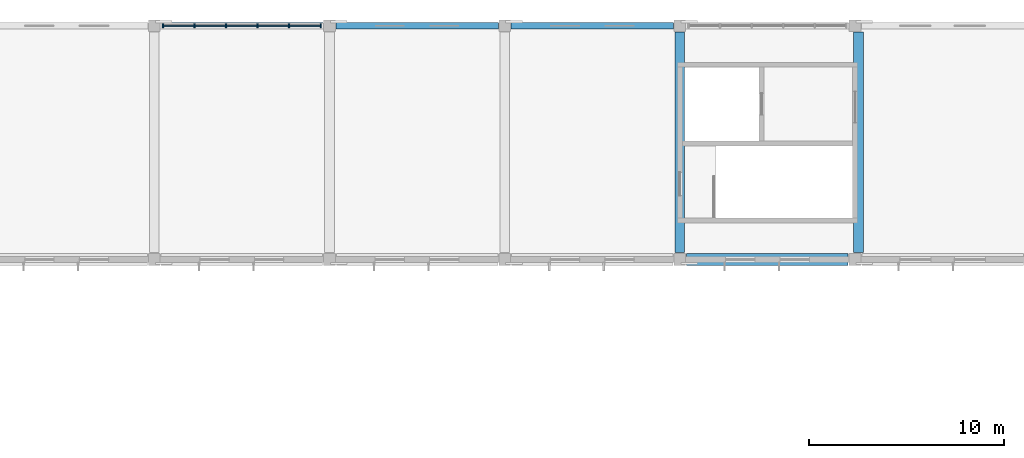
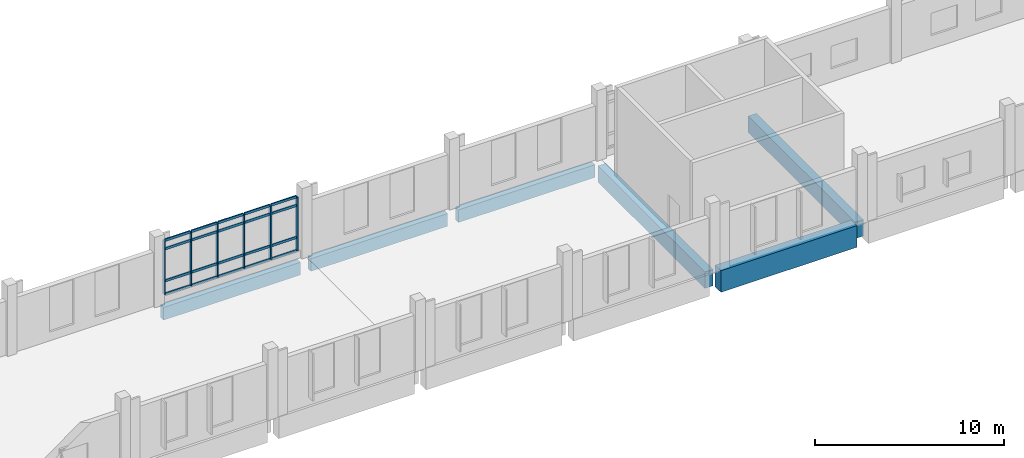
# One storey, part 24 of 63: 26 members, 6 beams, 1 element without a shape of its own.
"""IFC4 building model written with IfcOpenShell, lengths in metres."""

from ifc_helpers import new_model, si_unit, direction, frame, origin, origin_2d, place, context, subcontext, project, spatial, rectangle, extrude, material, layer, layer_set, material_profile, profile_set, type_object, element, aggregate, save


model = new_model("IFC4")

# Units and contexts
model_context = context("Model", 3, precision=1e-05, world=origin(), true_north=direction((0.0, 1.0)))
body_context = subcontext(model_context, "Body", "Model", "MODEL_VIEW")
ifc_project = project(units=[si_unit("LENGTHUNIT", "METRE"), si_unit("AREAUNIT", "SQUARE_METRE"), si_unit("VOLUMEUNIT", "CUBIC_METRE"), si_unit("PLANEANGLEUNIT", "RADIAN"), si_unit("MASSUNIT", "GRAM", prefix="KILO")], contexts=[model_context])

# Site, building, storey
site_placement = place(None, origin())
site = spatial("IfcSite", under=ifc_project, at=site_placement, CompositionType="ELEMENT")
building_placement = place(site_placement, origin())
building = spatial("IfcBuilding", under=site, at=building_placement, Name="Zacnel Wholesale Market", CompositionType="ELEMENT")
storey_placement = place(building_placement, frame((0.0, 0.0, 11.199951171875)))
storey = spatial("IfcBuildingStorey", under=building, at=storey_placement, Name="L03", CompositionType="ELEMENT", Elevation=11.199951171875)

# Beams
ifc_material_1 = material(Name="Precast concrete C45/55", Category="concrete")
ifc_material_profile_1 = material_profile(ifc_material_1, rectangle(XDim=0.5, YDim=1.050048828125, at=origin_2d()), Name="PG 500x1050")
ifc_profile_set_1 = profile_set([ifc_material_profile_1], Name="Precast concrete C45/55")
beam_type_1 = type_object("IfcBeamType", Name="BM-PG1050", PredefinedType="T_BEAM", material=ifc_profile_set_1)
for number, where, z_axis, x_axis, name in (
    (1, (117.0, 132.35009765625, -0.804931640625), (0.0, 1.0, 0.0), (-1.0, 0.0, 0.0), "Precast girder Y-0910"),
    (2, (126.179931640625, 132.35009765625, -0.804931640625), (0.0, 1.0, 0.0), (-1.0, 0.0, 0.0), "Precast girder Y-0914"),
):
    element("IfcBeam", number, at=place(storey_placement, frame(where, z_axis=z_axis, x_axis=x_axis)), inside=storey, type_object=beam_type_1, Name=name, PredefinedType="T_BEAM", context=body_context, shape_type="SweptSolid", body=[
        extrude(rectangle(XDim=0.5, YDim=1.050048828125, at=origin_2d()), origin(), (0.0, 0.0, 1.0), 11.324951171875),
    ])
ifc_material_2 = material(Name="Concrete C40/50", Category="concrete")
ifc_material_profile_2 = material_profile(ifc_material_2, rectangle(XDim=0.60009765625, YDim=1.39990234375, at=origin_2d()), Name="PTB 600x1400")
ifc_profile_set_2 = profile_set([ifc_material_profile_2], Name="Concrete C40/50")
beam_type_2 = type_object("IfcBeamType", Name="BM-PTB1400", PredefinedType="BEAM", material=ifc_profile_set_2)
beam_placement = place(storey_placement, frame((117.35009765625, 132.0, -0.699951171875), z_axis=(1.0, 0.0, 0.0), x_axis=(0.0, 1.0, 0.0)))
element("IfcBeam", 3, at=beam_placement, inside=storey, type_object=beam_type_2, Name="Precast girder X-0772", PredefinedType="BEAM", context=body_context, shape_type="SweptSolid", body=[
    extrude(rectangle(XDim=0.60009765625, YDim=1.39990234375, at=origin_2d()), origin(), (0.0, 0.0, 1.0), 8.2998046875),
])
ifc_material_3 = material(Name="Precast concrete C45/55", Category="concrete")
ifc_material_profile_3 = material_profile(ifc_material_3, rectangle(XDim=0.320068359375, YDim=0.820068359375, at=origin_2d()), Name="SP 320x820")
ifc_profile_set_3 = profile_set([ifc_material_profile_3], Name="Precast concrete C45/55")
beam_type_3 = type_object("IfcBeamType", Name="BM-SP820", PredefinedType="SPANDREL", material=ifc_profile_set_3)
for number, where, z_axis, x_axis, name in (
    (4, (90.324951171875, 144.0, -0.68994140625), (1.0, 0.0, 0.0), (0.0, 1.0, 0.0), "Precast girder X-0788"),
    (5, (99.324951171875, 144.0, -0.68994140625), (1.0, 0.0, 0.0), (0.0, 1.0, 0.0), "Precast girder X-0789"),
    (6, (108.324951171875, 144.0, -0.68994140625), (1.0, 0.0, 0.0), (0.0, 1.0, 0.0), "Precast girder X-0790"),
):
    element("IfcBeam", number, at=place(storey_placement, frame(where, z_axis=z_axis, x_axis=x_axis)), inside=storey, type_object=beam_type_3, Name=name, PredefinedType="SPANDREL", context=body_context, shape_type="SweptSolid", body=[
        extrude(rectangle(XDim=0.320068359375, YDim=0.820068359375, at=origin_2d()), origin(), (0.0, 0.0, 1.0), 8.35009765625),
    ])

# Curtain wall, members
ifc_material_4 = material(Name="Anodised aluminium", Category="aluminium")
ifc_layer = layer(ifc_material_4, 0.159912109375)
ifc_layer_set = layer_set([ifc_layer], Name="Anodised aluminium")
curtain_wall_type = type_object("IfcCurtainWallType", Name="CW-COURT-4500", PredefinedType="NOTDEFINED", material=ifc_layer_set)
curtain_wall_placement = place(storey_placement, origin())
curtain_wall = element("IfcCurtainWall", 7, at=curtain_wall_placement, inside=storey, type_object=curtain_wall_type, Name="Curtain wall ENV-R2-CW-L03-048", PredefinedType="NOTDEFINED")
ifc_material_5 = material(Name="Anodised aluminium", Category="aluminium")
ifc_material_profile_4 = material_profile(ifc_material_5, rectangle(XDim=0.070068359375, YDim=0.199951171875, at=origin_2d()), Name="AW-MULLION 70x200")
ifc_profile_set_4 = profile_set([ifc_material_profile_4], Name="Anodised aluminium")
member_type_1 = type_object("IfcMemberType", Name="CWM-MUL-02", PredefinedType="MULLION", material=ifc_profile_set_4)
member_1_placement = place(storey_placement, frame((90.449951171875, 144.0, 0.449951171875), z_axis=(0.0, 0.0, 1.0), x_axis=(1.0, 0.0, 0.0)))
member_1 = element("IfcMember", 8, at=member_1_placement, type_object=member_type_1, Name="ENV-R2-CW-L03-048 mullion 01", PredefinedType="MULLION", context=body_context, shape_type="SweptSolid", body=[
    extrude(rectangle(XDim=0.070068359375, YDim=0.199951171875, at=origin_2d()), origin(), (0.0, 0.0, 1.0), 3.47021484375),
])
member_2_placement = place(storey_placement, frame((92.070068359375, 144.0, 0.449951171875), z_axis=(0.0, 0.0, 1.0), x_axis=(1.0, 0.0, 0.0)))
member_2 = element("IfcMember", 9, at=member_2_placement, type_object=member_type_1, Name="ENV-R2-CW-L03-048 mullion 02", PredefinedType="MULLION", context=body_context, shape_type="SweptSolid", body=[
    extrude(rectangle(XDim=0.070068359375, YDim=0.199951171875, at=origin_2d()), origin(), (0.0, 0.0, 1.0), 3.47021484375),
])
member_3_placement = place(storey_placement, frame((93.68994140625, 144.0, 0.449951171875), z_axis=(0.0, 0.0, 1.0), x_axis=(1.0, 0.0, 0.0)))
member_3 = element("IfcMember", 10, at=member_3_placement, type_object=member_type_1, Name="ENV-R2-CW-L03-048 mullion 03", PredefinedType="MULLION", context=body_context, shape_type="SweptSolid", body=[
    extrude(rectangle(XDim=0.070068359375, YDim=0.199951171875, at=origin_2d()), origin(), (0.0, 0.0, 1.0), 3.47021484375),
])
member_4_placement = place(storey_placement, frame((95.31005859375, 144.0, 0.449951171875), z_axis=(0.0, 0.0, 1.0), x_axis=(1.0, 0.0, 0.0)))
member_4 = element("IfcMember", 11, at=member_4_placement, type_object=member_type_1, Name="ENV-R2-CW-L03-048 mullion 04", PredefinedType="MULLION", context=body_context, shape_type="SweptSolid", body=[
    extrude(rectangle(XDim=0.070068359375, YDim=0.199951171875, at=origin_2d()), origin(), (0.0, 0.0, 1.0), 3.47021484375),
])
member_5_placement = place(storey_placement, frame((96.929931640625, 144.0, 0.449951171875), z_axis=(0.0, 0.0, 1.0), x_axis=(1.0, 0.0, 0.0)))
member_5 = element("IfcMember", 12, at=member_5_placement, type_object=member_type_1, Name="ENV-R2-CW-L03-048 mullion 05", PredefinedType="MULLION", context=body_context, shape_type="SweptSolid", body=[
    extrude(rectangle(XDim=0.070068359375, YDim=0.199951171875, at=origin_2d()), origin(), (0.0, 0.0, 1.0), 3.47021484375),
])
member_6_placement = place(storey_placement, frame((98.550048828125, 144.0, 0.449951171875), z_axis=(0.0, 0.0, 1.0), x_axis=(1.0, 0.0, 0.0)))
member_6 = element("IfcMember", 13, at=member_6_placement, type_object=member_type_1, Name="ENV-R2-CW-L03-048 mullion 06", PredefinedType="MULLION", context=body_context, shape_type="SweptSolid", body=[
    extrude(rectangle(XDim=0.070068359375, YDim=0.199951171875, at=origin_2d()), origin(), (0.0, 0.0, 1.0), 3.47021484375),
])
ifc_material_6 = material(Name="Anodised aluminium", Category="aluminium")
ifc_material_profile_5 = material_profile(ifc_material_6, rectangle(XDim=0.070068359375, YDim=0.159912109375, at=origin_2d()), Name="AW-TRANSOM 70x160")
ifc_profile_set_5 = profile_set([ifc_material_profile_5], Name="Anodised aluminium")
member_type_2 = type_object("IfcMemberType", Name="CWM-TRN-02", PredefinedType="USERDEFINED", material=ifc_profile_set_5)
member_7_placement = place(storey_placement, frame((90.485107421875, 144.0, 0.449951171875), z_axis=(1.0, 0.0, 0.0), x_axis=(0.0, 1.0, 0.0)))
member_7 = element("IfcMember", 14, at=member_7_placement, type_object=member_type_2, Name="ENV-R2-CW-L03-048 transom 1-1", ObjectType="TRANSOM", PredefinedType="USERDEFINED", context=body_context, shape_type="SweptSolid", body=[
    extrude(rectangle(XDim=0.070068359375, YDim=0.159912109375, at=origin_2d()), origin(), (0.0, 0.0, 1.0), 1.5498046875),
])
member_8_placement = place(storey_placement, frame((90.485107421875, 144.0, 1.300048828125), z_axis=(1.0, 0.0, 0.0), x_axis=(0.0, 1.0, 0.0)))
member_8 = element("IfcMember", 15, at=member_8_placement, type_object=member_type_2, Name="ENV-R2-CW-L03-048 transom 1-2", ObjectType="TRANSOM", PredefinedType="USERDEFINED", context=body_context, shape_type="SweptSolid", body=[
    extrude(rectangle(XDim=0.070068359375, YDim=0.159912109375, at=origin_2d()), origin(), (0.0, 0.0, 1.0), 1.5498046875),
])
member_9_placement = place(storey_placement, frame((90.485107421875, 144.0, 3.3701171875), z_axis=(1.0, 0.0, 0.0), x_axis=(0.0, 1.0, 0.0)))
member_9 = element("IfcMember", 16, at=member_9_placement, type_object=member_type_2, Name="ENV-R2-CW-L03-048 transom 1-3", ObjectType="TRANSOM", PredefinedType="USERDEFINED", context=body_context, shape_type="SweptSolid", body=[
    extrude(rectangle(XDim=0.070068359375, YDim=0.159912109375, at=origin_2d()), origin(), (0.0, 0.0, 1.0), 1.5498046875),
])
member_10_placement = place(storey_placement, frame((90.485107421875, 144.0, 3.920166015625), z_axis=(1.0, 0.0, 0.0), x_axis=(0.0, 1.0, 0.0)))
member_10 = element("IfcMember", 17, at=member_10_placement, type_object=member_type_2, Name="ENV-R2-CW-L03-048 transom 1-4", ObjectType="TRANSOM", PredefinedType="USERDEFINED", context=body_context, shape_type="SweptSolid", body=[
    extrude(rectangle(XDim=0.070068359375, YDim=0.159912109375, at=origin_2d()), origin(), (0.0, 0.0, 1.0), 1.5498046875),
])
member_11_placement = place(storey_placement, frame((92.10498046875, 144.0, 0.449951171875), z_axis=(1.0, 0.0, 0.0), x_axis=(0.0, 1.0, 0.0)))
member_11 = element("IfcMember", 18, at=member_11_placement, type_object=member_type_2, Name="ENV-R2-CW-L03-048 transom 2-1", ObjectType="TRANSOM", PredefinedType="USERDEFINED", context=body_context, shape_type="SweptSolid", body=[
    extrude(rectangle(XDim=0.070068359375, YDim=0.159912109375, at=origin_2d()), origin(), (0.0, 0.0, 1.0), 1.550048828125),
])
member_12_placement = place(storey_placement, frame((92.10498046875, 144.0, 1.300048828125), z_axis=(1.0, 0.0, 0.0), x_axis=(0.0, 1.0, 0.0)))
member_12 = element("IfcMember", 19, at=member_12_placement, type_object=member_type_2, Name="ENV-R2-CW-L03-048 transom 2-2", ObjectType="TRANSOM", PredefinedType="USERDEFINED", context=body_context, shape_type="SweptSolid", body=[
    extrude(rectangle(XDim=0.070068359375, YDim=0.159912109375, at=origin_2d()), origin(), (0.0, 0.0, 1.0), 1.550048828125),
])
member_13_placement = place(storey_placement, frame((92.10498046875, 144.0, 3.3701171875), z_axis=(1.0, 0.0, 0.0), x_axis=(0.0, 1.0, 0.0)))
member_13 = element("IfcMember", 20, at=member_13_placement, type_object=member_type_2, Name="ENV-R2-CW-L03-048 transom 2-3", ObjectType="TRANSOM", PredefinedType="USERDEFINED", context=body_context, shape_type="SweptSolid", body=[
    extrude(rectangle(XDim=0.070068359375, YDim=0.159912109375, at=origin_2d()), origin(), (0.0, 0.0, 1.0), 1.550048828125),
])
member_14_placement = place(storey_placement, frame((92.10498046875, 144.0, 3.920166015625), z_axis=(1.0, 0.0, 0.0), x_axis=(0.0, 1.0, 0.0)))
member_14 = element("IfcMember", 21, at=member_14_placement, type_object=member_type_2, Name="ENV-R2-CW-L03-048 transom 2-4", ObjectType="TRANSOM", PredefinedType="USERDEFINED", context=body_context, shape_type="SweptSolid", body=[
    extrude(rectangle(XDim=0.070068359375, YDim=0.159912109375, at=origin_2d()), origin(), (0.0, 0.0, 1.0), 1.550048828125),
])
member_15_placement = place(storey_placement, frame((93.72509765625, 144.0, 0.449951171875), z_axis=(1.0, 0.0, 0.0), x_axis=(0.0, 1.0, 0.0)))
member_15 = element("IfcMember", 22, at=member_15_placement, type_object=member_type_2, Name="ENV-R2-CW-L03-048 transom 3-1", ObjectType="TRANSOM", PredefinedType="USERDEFINED", context=body_context, shape_type="SweptSolid", body=[
    extrude(rectangle(XDim=0.070068359375, YDim=0.159912109375, at=origin_2d()), origin(), (0.0, 0.0, 1.0), 1.5498046875),
])
member_16_placement = place(storey_placement, frame((93.72509765625, 144.0, 1.300048828125), z_axis=(1.0, 0.0, 0.0), x_axis=(0.0, 1.0, 0.0)))
member_16 = element("IfcMember", 23, at=member_16_placement, type_object=member_type_2, Name="ENV-R2-CW-L03-048 transom 3-2", ObjectType="TRANSOM", PredefinedType="USERDEFINED", context=body_context, shape_type="SweptSolid", body=[
    extrude(rectangle(XDim=0.070068359375, YDim=0.159912109375, at=origin_2d()), origin(), (0.0, 0.0, 1.0), 1.5498046875),
])
member_17_placement = place(storey_placement, frame((93.72509765625, 144.0, 3.3701171875), z_axis=(1.0, 0.0, 0.0), x_axis=(0.0, 1.0, 0.0)))
member_17 = element("IfcMember", 24, at=member_17_placement, type_object=member_type_2, Name="ENV-R2-CW-L03-048 transom 3-3", ObjectType="TRANSOM", PredefinedType="USERDEFINED", context=body_context, shape_type="SweptSolid", body=[
    extrude(rectangle(XDim=0.070068359375, YDim=0.159912109375, at=origin_2d()), origin(), (0.0, 0.0, 1.0), 1.5498046875),
])
member_18_placement = place(storey_placement, frame((93.72509765625, 144.0, 3.920166015625), z_axis=(1.0, 0.0, 0.0), x_axis=(0.0, 1.0, 0.0)))
member_18 = element("IfcMember", 25, at=member_18_placement, type_object=member_type_2, Name="ENV-R2-CW-L03-048 transom 3-4", ObjectType="TRANSOM", PredefinedType="USERDEFINED", context=body_context, shape_type="SweptSolid", body=[
    extrude(rectangle(XDim=0.070068359375, YDim=0.159912109375, at=origin_2d()), origin(), (0.0, 0.0, 1.0), 1.5498046875),
])
member_19_placement = place(storey_placement, frame((95.344970703125, 144.0, 0.449951171875), z_axis=(1.0, 0.0, 0.0), x_axis=(0.0, 1.0, 0.0)))
member_19 = element("IfcMember", 26, at=member_19_placement, type_object=member_type_2, Name="ENV-R2-CW-L03-048 transom 4-1", ObjectType="TRANSOM", PredefinedType="USERDEFINED", context=body_context, shape_type="SweptSolid", body=[
    extrude(rectangle(XDim=0.070068359375, YDim=0.159912109375, at=origin_2d()), origin(), (0.0, 0.0, 1.0), 1.550048828125),
])
member_20_placement = place(storey_placement, frame((95.344970703125, 144.0, 1.300048828125), z_axis=(1.0, 0.0, 0.0), x_axis=(0.0, 1.0, 0.0)))
member_20 = element("IfcMember", 27, at=member_20_placement, type_object=member_type_2, Name="ENV-R2-CW-L03-048 transom 4-2", ObjectType="TRANSOM", PredefinedType="USERDEFINED", context=body_context, shape_type="SweptSolid", body=[
    extrude(rectangle(XDim=0.070068359375, YDim=0.159912109375, at=origin_2d()), origin(), (0.0, 0.0, 1.0), 1.550048828125),
])
member_21_placement = place(storey_placement, frame((95.344970703125, 144.0, 3.3701171875), z_axis=(1.0, 0.0, 0.0), x_axis=(0.0, 1.0, 0.0)))
member_21 = element("IfcMember", 28, at=member_21_placement, type_object=member_type_2, Name="ENV-R2-CW-L03-048 transom 4-3", ObjectType="TRANSOM", PredefinedType="USERDEFINED", context=body_context, shape_type="SweptSolid", body=[
    extrude(rectangle(XDim=0.070068359375, YDim=0.159912109375, at=origin_2d()), origin(), (0.0, 0.0, 1.0), 1.550048828125),
])
member_22_placement = place(storey_placement, frame((95.344970703125, 144.0, 3.920166015625), z_axis=(1.0, 0.0, 0.0), x_axis=(0.0, 1.0, 0.0)))
member_22 = element("IfcMember", 29, at=member_22_placement, type_object=member_type_2, Name="ENV-R2-CW-L03-048 transom 4-4", ObjectType="TRANSOM", PredefinedType="USERDEFINED", context=body_context, shape_type="SweptSolid", body=[
    extrude(rectangle(XDim=0.070068359375, YDim=0.159912109375, at=origin_2d()), origin(), (0.0, 0.0, 1.0), 1.550048828125),
])
member_23_placement = place(storey_placement, frame((96.965087890625, 144.0, 0.449951171875), z_axis=(1.0, 0.0, 0.0), x_axis=(0.0, 1.0, 0.0)))
member_23 = element("IfcMember", 30, at=member_23_placement, type_object=member_type_2, Name="ENV-R2-CW-L03-048 transom 5-1", ObjectType="TRANSOM", PredefinedType="USERDEFINED", context=body_context, shape_type="SweptSolid", body=[
    extrude(rectangle(XDim=0.070068359375, YDim=0.159912109375, at=origin_2d()), origin(), (0.0, 0.0, 1.0), 1.5498046875),
])
member_24_placement = place(storey_placement, frame((96.965087890625, 144.0, 1.300048828125), z_axis=(1.0, 0.0, 0.0), x_axis=(0.0, 1.0, 0.0)))
member_24 = element("IfcMember", 31, at=member_24_placement, type_object=member_type_2, Name="ENV-R2-CW-L03-048 transom 5-2", ObjectType="TRANSOM", PredefinedType="USERDEFINED", context=body_context, shape_type="SweptSolid", body=[
    extrude(rectangle(XDim=0.070068359375, YDim=0.159912109375, at=origin_2d()), origin(), (0.0, 0.0, 1.0), 1.5498046875),
])
member_25_placement = place(storey_placement, frame((96.965087890625, 144.0, 3.3701171875), z_axis=(1.0, 0.0, 0.0), x_axis=(0.0, 1.0, 0.0)))
member_25 = element("IfcMember", 32, at=member_25_placement, type_object=member_type_2, Name="ENV-R2-CW-L03-048 transom 5-3", ObjectType="TRANSOM", PredefinedType="USERDEFINED", context=body_context, shape_type="SweptSolid", body=[
    extrude(rectangle(XDim=0.070068359375, YDim=0.159912109375, at=origin_2d()), origin(), (0.0, 0.0, 1.0), 1.5498046875),
])
member_26_placement = place(storey_placement, frame((96.965087890625, 144.0, 3.920166015625), z_axis=(1.0, 0.0, 0.0), x_axis=(0.0, 1.0, 0.0)))
member_26 = element("IfcMember", 33, at=member_26_placement, type_object=member_type_2, Name="ENV-R2-CW-L03-048 transom 5-4", ObjectType="TRANSOM", PredefinedType="USERDEFINED", context=body_context, shape_type="SweptSolid", body=[
    extrude(rectangle(XDim=0.070068359375, YDim=0.159912109375, at=origin_2d()), origin(), (0.0, 0.0, 1.0), 1.5498046875),
])
aggregate(curtain_wall, [member_1, member_2, member_3, member_4, member_5, member_6, member_7, member_8, member_9, member_10, member_11, member_12, member_13, member_14, member_15, member_16, member_17, member_18, member_19, member_20, member_21, member_22, member_23, member_24, member_25, member_26])

save(model, "model.ifc")
